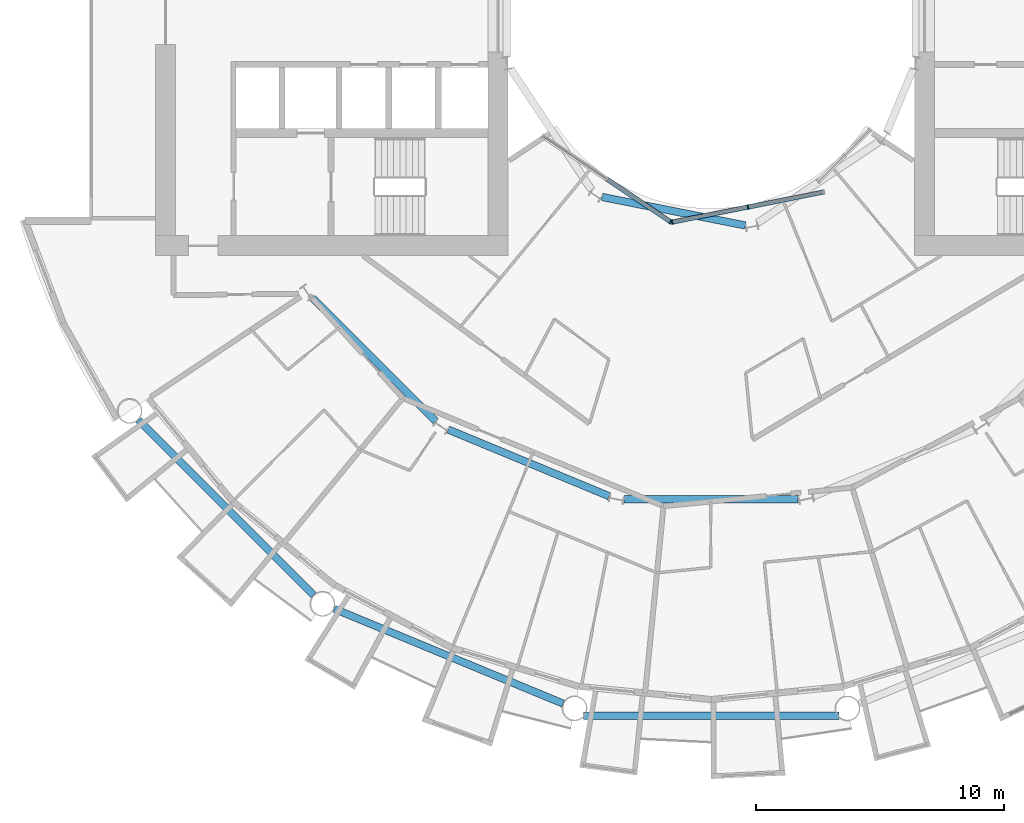
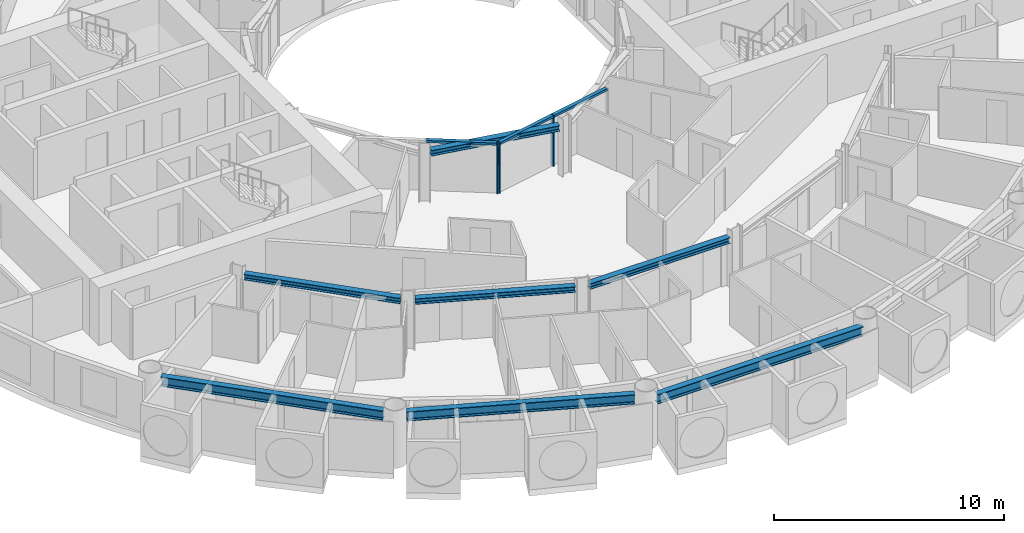
# One storey, part 4 of 26: 7 beams, 6 members, 2 elements without a shape of their own.
"""IFC4 building model written with IfcOpenShell, lengths in metres."""

from ifc_helpers import new_model, si_unit, direction, frame, origin, origin_2d, place, context, subcontext, project, spatial, rectangle, i_section, extrude, material, layer, layer_set, material_profile, profile_set, type_object, element, aggregate, save


model = new_model("IFC4")

# Units and contexts
model_context = context("Model", 3, precision=1e-05, world=origin(), true_north=direction((0.0, 1.0)))
body_context = subcontext(model_context, "Body", "Model", "MODEL_VIEW")
ifc_project = project(units=[si_unit("LENGTHUNIT", "METRE"), si_unit("AREAUNIT", "SQUARE_METRE"), si_unit("VOLUMEUNIT", "CUBIC_METRE"), si_unit("PLANEANGLEUNIT", "RADIAN"), si_unit("MASSUNIT", "GRAM", prefix="KILO")], contexts=[model_context])

# Site, building, storey
site_placement = place(None, origin())
site = spatial("IfcSite", under=ifc_project, at=site_placement, CompositionType="ELEMENT")
building_placement = place(site_placement, origin())
building = spatial("IfcBuilding", under=site, at=building_placement, Name="Maasbend Ring Residences", CompositionType="ELEMENT")
storey_placement = place(building_placement, frame((0.0, 0.0, 47.199951171875)))
storey = spatial("IfcBuildingStorey", under=building, at=storey_placement, Name="L13", CompositionType="ELEMENT", Elevation=47.199951171875)

# Curtain wall, member
ifc_material_1 = material(Name="Aluminium and clear glass", Category="aluminium")
ifc_layer = layer(ifc_material_1, 0.179931640625)
ifc_layer_set = layer_set([ifc_layer], Name="CW-W")
curtain_wall_type = type_object("IfcCurtainWallType", Name="CW-W", PredefinedType="NOTDEFINED", material=ifc_layer_set)
curtain_wall_1_placement = place(storey_placement, origin())
curtain_wall_1 = element("IfcCurtainWall", 1, at=curtain_wall_1_placement, inside=storey, type_object=curtain_wall_type, Name="Well curtain wall S1", PredefinedType="NOTDEFINED")
ifc_material_2 = material(Name="Aluminium 6063-T6", Category="aluminium")
ifc_material_profile_1 = material_profile(ifc_material_2, rectangle(XDim=0.179931640625, YDim=0.06005859375, at=origin_2d()), Name="AL 180x60")
ifc_profile_set_1 = profile_set([ifc_material_profile_1], Name="Aluminium 6063-T6")
member_type_1 = type_object("IfcMemberType", Name="CWM-W", PredefinedType="MULLION", material=ifc_profile_set_1)
member_1_placement = place(storey_placement, frame((-1.627685546875, -8.040771484375, 0.0), z_axis=(0.0, 0.0, 1.0), x_axis=(0.55557023302, 0.831469612303, 0.0)))
member_1 = element("IfcMember", 2, at=member_1_placement, type_object=member_type_1, Name="Mullion well face", PredefinedType="MULLION", context=body_context, shape_type="SweptSolid", body=[
    extrude(rectangle(XDim=0.179931640625, YDim=0.06005859375, at=origin_2d()), origin(), (0.0, 0.0, 1.0), 2.699951171875),
])

# Curtain wall, members
curtain_wall_2_placement = place(storey_placement, origin())
curtain_wall_2 = element("IfcCurtainWall", 3, at=curtain_wall_2_placement, inside=storey, type_object=curtain_wall_type, Name="Well curtain wall S2", PredefinedType="NOTDEFINED")
member_2_placement = place(storey_placement, frame((-1.5732421875, -8.0517578125, 0.0), z_axis=(0.0, 0.0, 1.0), x_axis=(-0.195090322016, 0.980785280403, 0.0)))
member_2 = element("IfcMember", 4, at=member_2_placement, type_object=member_type_1, Name="Mullion well face", PredefinedType="MULLION", context=body_context, shape_type="SweptSolid", body=[
    extrude(rectangle(XDim=0.179931640625, YDim=0.06005859375, at=origin_2d()), origin(), (0.0, 0.0, 1.0), 2.699951171875),
])
member_3_placement = place(storey_placement, frame((1.480712890625, -7.444091796875, 0.0), z_axis=(0.0, 0.0, 1.0), x_axis=(-0.195090322016, 0.980785280403, 0.0)))
member_3 = element("IfcMember", 5, at=member_3_placement, type_object=member_type_1, Name="Mullion well face", PredefinedType="MULLION", context=body_context, shape_type="SweptSolid", body=[
    extrude(rectangle(XDim=0.179931640625, YDim=0.06005859375, at=origin_2d()), origin(), (0.0, 0.0, 1.0), 2.699951171875),
])

# Member
ifc_material_3 = material(Name="Aluminium 6063-T6", Category="aluminium")
ifc_material_profile_2 = material_profile(ifc_material_3, rectangle(XDim=0.179931640625, YDim=0.1201171875, at=origin_2d()), Name="AL 180x120")
ifc_profile_set_2 = profile_set([ifc_material_profile_2], Name="Aluminium 6063-T6")
member_type_2 = type_object("IfcMemberType", Name="CWT-W", PredefinedType="USERDEFINED", material=ifc_profile_set_2)
member_4_placement = place(storey_placement, frame((-4.19189453125, -6.32763671875, 2.64013671875), z_axis=(0.831496422459, -0.555530106689, 0.0), x_axis=(0.555530106689, 0.831496422459, 0.0)))
member_4 = element("IfcMember", 6, at=member_4_placement, type_object=member_type_2, Name="Transom well face", ObjectType="TRANSOM", PredefinedType="USERDEFINED", context=body_context, shape_type="SweptSolid", body=[
    extrude(rectangle(XDim=0.179931640625, YDim=0.1201171875, at=origin_2d()), origin(), (0.0, 0.0, 1.0), 3.053955078125),
])

aggregate(curtain_wall_1, [member_1, member_4])

member_5_placement = place(storey_placement, frame((-1.5439453125, -8.0458984375, 2.64013671875), z_axis=(0.980776956105, 0.195132166424, 0.0), x_axis=(-0.195132166424, 0.980776956105, 0.0)))
member_5 = element("IfcMember", 7, at=member_5_placement, type_object=member_type_2, Name="Transom well face", ObjectType="TRANSOM", PredefinedType="USERDEFINED", context=body_context, shape_type="SweptSolid", body=[
    extrude(rectangle(XDim=0.179931640625, YDim=0.1201171875, at=origin_2d()), origin(), (0.0, 0.0, 1.0), 3.053955078125),
])

member_6_placement = place(storey_placement, frame((1.51025390625, -7.438232421875, 2.64013671875), z_axis=(0.980789210404, 0.19507056353, 0.0), x_axis=(-0.19507056353, 0.980789210404, 0.0)))
member_6 = element("IfcMember", 8, at=member_6_placement, type_object=member_type_2, Name="Transom well face", ObjectType="TRANSOM", PredefinedType="USERDEFINED", context=body_context, shape_type="SweptSolid", body=[
    extrude(rectangle(XDim=0.179931640625, YDim=0.1201171875, at=origin_2d()), origin(), (0.0, 0.0, 1.0), 3.0537109375),
])

aggregate(curtain_wall_2, [member_2, member_3, member_5, member_6])

# Beams
ifc_material_4 = material(Name="Steel S355J2", Category="steel")
ifc_material_profile_3 = material_profile(ifc_material_4, i_section(OverallWidth=0.300048828125, OverallDepth=0.300048828125, WebThickness=0.010986328125, FlangeThickness=0.01904296875, FilletRadius=0.027099609375, at=origin_2d()), Name="HEB 300")
ifc_profile_set_3 = profile_set([ifc_material_profile_3], Name="Steel S355J2")
beam_type_1 = type_object("IfcBeamType", Name="Corridor ring beam HEB 300", PredefinedType="BEAM", material=ifc_profile_set_3)
beam_1_placement = place(storey_placement, frame((-16.0732421875, -11.11279296875, 2.550048828125), z_axis=(0.707106781187, -0.707106781187, 0.0), x_axis=(0.707106781187, 0.707106781187, 0.0)))
element("IfcBeam", 9, at=beam_1_placement, inside=storey, type_object=beam_type_1, Name="Corridor ring beam", PredefinedType="BEAM", context=body_context, shape_type="SweptSolid", body=[
    extrude(i_section(OverallWidth=0.300048828125, OverallDepth=0.300048828125, WebThickness=0.010986328125, FlangeThickness=0.01904296875, FilletRadius=0.027099609375, at=origin_2d()), origin(), (0.0, 0.0, 1.0), 7.01513671875),
])
beam_2_placement = place(storey_placement, frame((-10.59716796875, -16.417724609375, 2.550048828125), z_axis=(0.923886196809, -0.38266734293, 0.0), x_axis=(0.38266734293, 0.923886196809, 0.0)))
element("IfcBeam", 10, at=beam_2_placement, inside=storey, type_object=beam_type_1, Name="Corridor ring beam", PredefinedType="BEAM", context=body_context, shape_type="SweptSolid", body=[
    extrude(i_section(OverallWidth=0.300048828125, OverallDepth=0.300048828125, WebThickness=0.010986328125, FlangeThickness=0.01904296875, FilletRadius=0.027099609375, at=origin_2d()), origin(), (0.0, 0.0, 1.0), 7.015380859375),
])
beam_3_placement = place(storey_placement, frame((-3.5078125, -19.223388671875, 2.550048828125), z_axis=(1.0, 0.0, 0.0), x_axis=(0.0, 1.0, 0.0)))
element("IfcBeam", 11, at=beam_3_placement, inside=storey, type_object=beam_type_1, Name="Corridor ring beam", PredefinedType="BEAM", context=body_context, shape_type="SweptSolid", body=[
    extrude(i_section(OverallWidth=0.300048828125, OverallDepth=0.300048828125, WebThickness=0.010986328125, FlangeThickness=0.01904296875, FilletRadius=0.027099609375, at=origin_2d()), origin(), (0.0, 0.0, 1.0), 7.015625),
])
ifc_material_5 = material(Name="Steel S355J2", Category="steel")
ifc_material_profile_4 = material_profile(ifc_material_5, i_section(OverallWidth=0.300048828125, OverallDepth=0.5, WebThickness=0.014404296875, FlangeThickness=0.028076171875, FilletRadius=0.027099609375, at=origin_2d()), Name="HEB 500")
ifc_profile_set_4 = profile_set([ifc_material_profile_4], Name="Steel S355J2")
beam_type_2 = type_object("IfcBeamType", Name="Spandrel ring beam HEB 500", PredefinedType="SPANDREL", material=ifc_profile_set_4)
beam_4_placement = place(storey_placement, frame((-23.088134765625, -16.0263671875, 2.449951171875), z_axis=(0.707106781187, -0.707106781187, 0.0), x_axis=(0.707106781187, 0.707106781187, 0.0)))
element("IfcBeam", 12, at=beam_4_placement, inside=storey, type_object=beam_type_2, Name="Spandrel ring beam", PredefinedType="SPANDREL", context=body_context, shape_type="SweptSolid", body=[
    extrude(i_section(OverallWidth=0.300048828125, OverallDepth=0.5, WebThickness=0.014404296875, FlangeThickness=0.028076171875, FilletRadius=0.027099609375, at=origin_2d()), origin(), (0.0, 0.0, 1.0), 9.98681640625),
])
beam_5_placement = place(storey_placement, frame((-15.19775390625, -23.641845703125, 2.449951171875), z_axis=(0.923886337442, -0.382667003395, 0.0), x_axis=(0.382667003395, 0.923886337442, 0.0)))
element("IfcBeam", 13, at=beam_5_placement, inside=storey, type_object=beam_type_2, Name="Spandrel ring beam", PredefinedType="SPANDREL", context=body_context, shape_type="SweptSolid", body=[
    extrude(i_section(OverallWidth=0.300048828125, OverallDepth=0.5, WebThickness=0.014404296875, FlangeThickness=0.028076171875, FilletRadius=0.027099609375, at=origin_2d()), origin(), (0.0, 0.0, 1.0), 9.9873046875),
])
beam_6_placement = place(storey_placement, frame((-5.1435546875, -27.9580078125, 2.449951171875), z_axis=(1.0, 0.0, 0.0), x_axis=(0.0, 1.0, 0.0)))
element("IfcBeam", 14, at=beam_6_placement, inside=storey, type_object=beam_type_2, Name="Spandrel ring beam", PredefinedType="SPANDREL", context=body_context, shape_type="SweptSolid", body=[
    extrude(i_section(OverallWidth=0.300048828125, OverallDepth=0.5, WebThickness=0.014404296875, FlangeThickness=0.028076171875, FilletRadius=0.027099609375, at=origin_2d()), origin(), (0.0, 0.0, 1.0), 10.287109375),
])
ifc_material_6 = material(Name="Steel S355J2", Category="steel")
ifc_material_profile_5 = material_profile(ifc_material_6, i_section(OverallWidth=0.300048828125, OverallDepth=0.300048828125, WebThickness=0.010986328125, FlangeThickness=0.01904296875, FilletRadius=0.027099609375, at=origin_2d()), Name="HEB 300")
ifc_profile_set_5 = profile_set([ifc_material_profile_5], Name="Steel S355J2")
beam_type_3 = type_object("IfcBeamType", Name="Well edge beam HEB 300", PredefinedType="BEAM", material=ifc_profile_set_5)
beam_7_placement = place(storey_placement, frame((-4.4013671875, -7.037109375, 2.550048828125), z_axis=(0.980784282486, -0.195095338819, 0.0), x_axis=(0.195095338819, 0.980784282486, 0.0)))
element("IfcBeam", 15, at=beam_7_placement, inside=storey, type_object=beam_type_3, Name="Well edge beam", PredefinedType="BEAM", context=body_context, shape_type="SweptSolid", body=[
    extrude(i_section(OverallWidth=0.300048828125, OverallDepth=0.300048828125, WebThickness=0.010986328125, FlangeThickness=0.01904296875, FilletRadius=0.027099609375, at=origin_2d()), origin(), (0.0, 0.0, 1.0), 5.8876953125),
])

save(model, "model.ifc")
